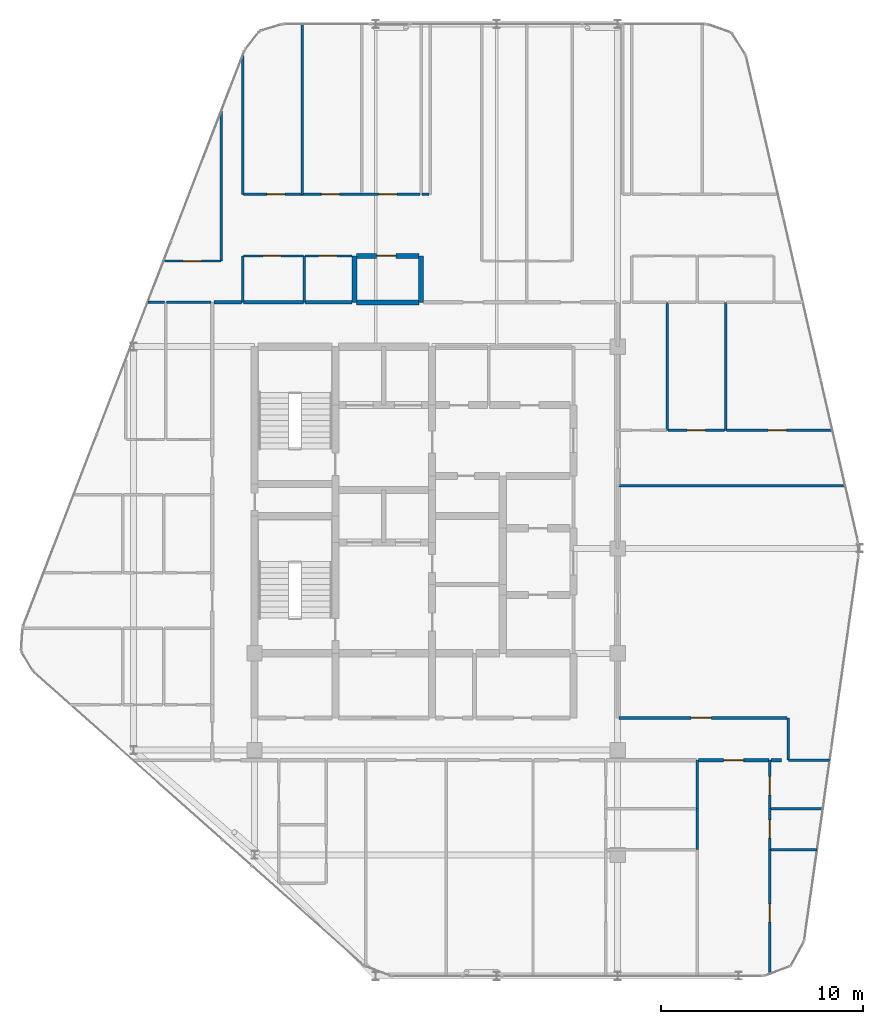
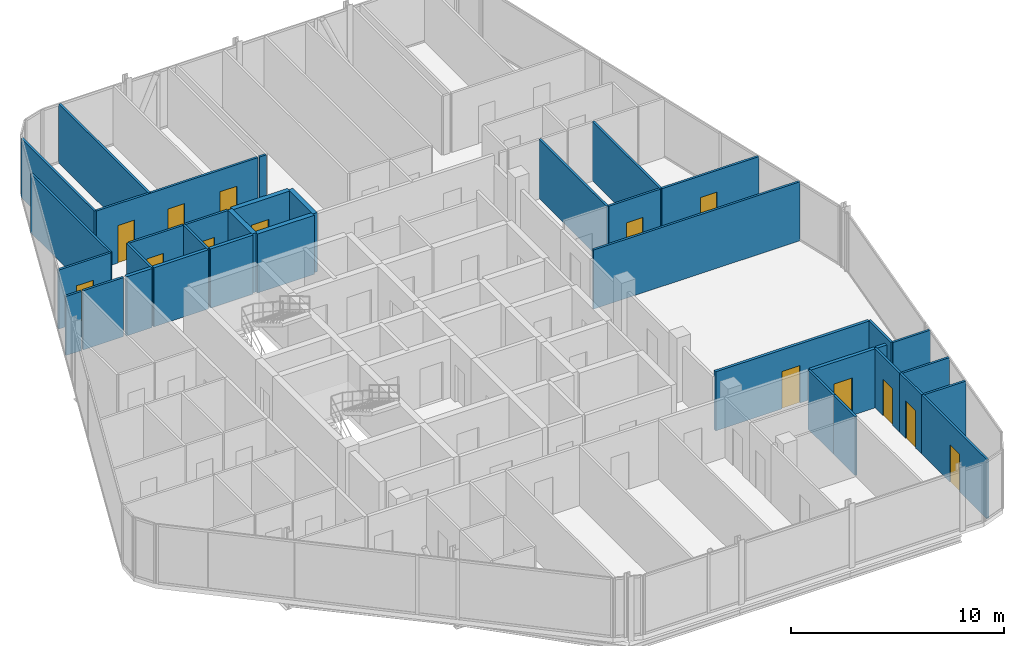
# One storey, part 25 of 27: 36 walls, 14 doors, 14 openings.
"""IFC4 building model written with IfcOpenShell, lengths in metres."""

from ifc_helpers import new_model, si_unit, direction, frame, frame_2d, origin, place, context, subcontext, project, spatial, rectangle, extrude, material, layer, layer_set, type_object, element, fill, save


model = new_model("IFC4")

# Units and contexts
model_context = context("Model", 3, precision=1e-05, world=origin(), true_north=direction((0.0, 1.0)))
body_context = subcontext(model_context, "Body", "Model", "MODEL_VIEW")
ifc_project = project(units=[si_unit("LENGTHUNIT", "METRE"), si_unit("AREAUNIT", "SQUARE_METRE"), si_unit("VOLUMEUNIT", "CUBIC_METRE"), si_unit("PLANEANGLEUNIT", "RADIAN"), si_unit("MASSUNIT", "GRAM", prefix="KILO")], contexts=[model_context])

# Site, building, storey
site_placement = place(None, origin())
site = spatial("IfcSite", under=ifc_project, at=site_placement, CompositionType="ELEMENT")
building_placement = place(site_placement, origin())
building = spatial("IfcBuilding", under=site, at=building_placement, Name="Keshet Zoharim Tower", CompositionType="ELEMENT")
storey_placement = place(building_placement, frame((0.0, 0.0, 269.5)))
storey = spatial("IfcBuildingStorey", under=building, at=storey_placement, Name="L67", CompositionType="ELEMENT", Elevation=269.5)

# Wall, opening, door
ifc_material_1 = material(Name="Gypsum Plasterboard", Category="gypsum")
ifc_layer_1 = layer(ifc_material_1, 0.14990234375)
ifc_layer_set_1 = layer_set([ifc_layer_1], Name="Gypsum Plasterboard")
wall_type_1 = type_object("IfcWallType", Name="WL-CLIN-150", PredefinedType="STANDARD", material=ifc_layer_set_1)
wall_1_placement = place(storey_placement, frame((33.06005859375, 19.5, 0.0), z_axis=(0.0, 0.0, 1.0), x_axis=(1.0, 0.0, 0.0)))
wall_1 = element("IfcWall", 1, at=wall_1_placement, inside=storey, type_object=wall_type_1, Name="L67 Interior Wall 105", PredefinedType="STANDARD", context=body_context, shape_type="SweptSolid", body=[
    extrude(rectangle(XDim=8.322998046875, YDim=0.14990234375, at=frame_2d((4.16162109375, 0.0))), origin(), (0.0, 0.0, 1.0), 3.389892578125),
])
opening_1_placement = place(wall_1_placement, frame((3.5830078125, 0.0, 0.0)))
opening_1 = element("IfcOpeningElement", 2, at=opening_1_placement, cuts=wall_1, Name="Opening D-F310", PredefinedType="OPENING", context=body_context, shape_type="SweptSolid", body=[
    extrude(rectangle(XDim=1.0, YDim=2.14990234375, at=frame_2d((0.5, 1.074951171875))), frame((0.0, 0.0849609375, 0.0), z_axis=(0.0, -1.0, 0.0), x_axis=(1.0, 0.0, 0.0)), (0.0, 0.0, 1.0), 0.169921875),
])
ifc_material_2 = material(Name="Hardwood Timber", Category="wood")
door_type_1 = type_object("IfcDoorType", Name="DR-FD30-100", OperationType="NOTDEFINED", PredefinedType="DOOR", material=ifc_material_2)
door_1_placement = place(opening_1_placement, origin())
door_1 = element("IfcDoor", 3, at=door_1_placement, inside=storey, type_object=door_type_1, Name="L67 South West Residents Services Suite Door 2", OperationType="SINGLE_SWING_LEFT", OverallHeight=2.14990234375, OverallWidth=1.0, PredefinedType="DOOR", context=body_context, shape_type="SweptSolid", body=[
    extrude(rectangle(XDim=1.0, YDim=2.14990234375, at=frame_2d((0.5, 1.074951171875))), frame((0.0, 0.02490234375, 0.0), z_axis=(0.0, -1.0, 0.0), x_axis=(1.0, 0.0, 0.0)), (0.0, 0.0, 1.0), 0.050048828125),
])
fill(opening_1, door_1)

ifc_layer_2 = layer(ifc_material_1, 0.179931640625)
ifc_layer_set_2 = layer_set([ifc_layer_2], Name="Gypsum Plasterboard")
wall_type_2 = type_object("IfcWallType", Name="WL-CORR-180", PredefinedType="STANDARD", material=ifc_layer_set_2)
wall_2_placement = place(storey_placement, frame((36.9951171875, 17.39990234375, 0.0), z_axis=(0.0, 0.0, 1.0), x_axis=(1.0, 0.0, 0.0)))
wall_2 = element("IfcWall", 4, at=wall_2_placement, inside=storey, type_object=wall_type_2, Name="L67 Interior Wall 098", PredefinedType="STANDARD", context=body_context, shape_type="SweptSolid", body=[
    extrude(rectangle(XDim=3.509765625, YDim=0.179931640625, at=frame_2d((1.7548828125, 0.0))), origin(), (0.0, 0.0, 1.0), 3.389892578125),
])
opening_2_placement = place(wall_2_placement, frame((1.2548828125, 0.0, 0.0)))
opening_2 = element("IfcOpeningElement", 5, at=opening_2_placement, cuts=wall_2, Name="Opening D-F310", PredefinedType="OPENING", context=body_context, shape_type="SweptSolid", body=[
    extrude(rectangle(XDim=1.0, YDim=2.14990234375, at=frame_2d((0.5, 1.074951171875))), frame((0.0, 0.10009765625, 0.0), z_axis=(0.0, -1.0, 0.0), x_axis=(1.0, 0.0, 0.0)), (0.0, 0.0, 1.0), 0.199951171875),
])
door_2_placement = place(opening_2_placement, origin())
door_2 = element("IfcDoor", 6, at=door_2_placement, inside=storey, type_object=door_type_1, Name="Apartment 6703 Entrance Door", OperationType="SINGLE_SWING_RIGHT", OverallHeight=2.14990234375, OverallWidth=1.0, PredefinedType="DOOR", context=body_context, shape_type="SweptSolid", body=[
    extrude(rectangle(XDim=1.0, YDim=2.14990234375, at=frame_2d((0.5, 1.074951171875))), frame((0.0, 0.02490234375, 0.0), z_axis=(0.0, -1.0, 0.0), x_axis=(1.0, 0.0, 0.0)), (0.0, 0.0, 1.0), 0.050048828125),
])
fill(opening_2, door_2)

# Walls
wall_3_placement = place(storey_placement, frame((40.594970703125, 17.39990234375, 0.0), z_axis=(0.0, 0.0, 1.0), x_axis=(1.0, 0.0, 0.0)))
element("IfcWall", 7, at=wall_3_placement, inside=storey, type_object=wall_type_2, Name="L67 Interior Wall 099", PredefinedType="STANDARD", context=body_context, shape_type="SweptSolid", body=[
    extrude(rectangle(XDim=0.534912109375, YDim=0.179931640625, at=frame_2d((0.267578125, 0.0))), origin(), (0.0, 0.0, 1.0), 3.389892578125),
])
wall_4_placement = place(storey_placement, frame((12.97509765625, 40.10009765625, 0.0), z_axis=(0.0, 0.0, 1.0), x_axis=(1.0, 0.0, 0.0)))
element("IfcWall", 8, at=wall_4_placement, inside=storey, type_object=wall_type_2, Name="L67 Interior Wall 148", PredefinedType="STANDARD", context=body_context, shape_type="SweptSolid", body=[
    extrude(rectangle(XDim=1.3798828125, YDim=0.179931640625, at=frame_2d((0.68994140625, 0.0))), origin(), (0.0, 0.0, 1.0), 3.389892578125),
])
wall_5_placement = place(storey_placement, frame((14.445068359375, 40.10009765625, 0.0), z_axis=(0.0, 0.0, 1.0), x_axis=(1.0, 0.0, 0.0)))
element("IfcWall", 9, at=wall_5_placement, inside=storey, type_object=wall_type_2, Name="L67 Interior Wall 149", PredefinedType="STANDARD", context=body_context, shape_type="SweptSolid", body=[
    extrude(rectangle(XDim=2.971923828125, YDim=0.179931640625, at=frame_2d((1.48583984375, 0.0))), origin(), (0.0, 0.0, 1.0), 3.389892578125),
])
wall_6_placement = place(storey_placement, frame((17.507080078125, 40.10009765625, 0.0), z_axis=(0.0, 0.0, 1.0), x_axis=(1.0, 0.0, 0.0)))
element("IfcWall", 10, at=wall_6_placement, inside=storey, type_object=wall_type_2, Name="L67 Interior Wall 150", PredefinedType="STANDARD", context=body_context, shape_type="SweptSolid", body=[
    extrude(rectangle(XDim=2.322998046875, YDim=0.179931640625, at=frame_2d((1.16162109375, 0.0))), origin(), (0.0, 0.0, 1.0), 3.389892578125),
])
ifc_material_3 = material(Name="Concrete C50/60", Category="concrete")
ifc_layer_3 = layer(ifc_material_3, 0.25)
ifc_layer_set_3 = layer_set([ifc_layer_3], Name="Concrete C50/60")
wall_type_3 = type_object("IfcWallType", Name="WL-MAMAD-250", PredefinedType="STANDARD", material=ifc_layer_set_3)
for number, where, z_axis, x_axis, name in (
    (11, (19.949951171875, 40.10009765625, 0.0), (0.0, 0.0, 1.0), (0.0, 1.0, 0.0), "L67 Interior Wall 031"),
    (12, (23.25, 40.10009765625, 0.0), (0.0, 0.0, 1.0), (0.0, 1.0, 0.0), "L67 Interior Wall 036"),
):
    element("IfcWall", number, at=place(storey_placement, frame(where, z_axis=z_axis, x_axis=x_axis)), inside=storey, type_object=wall_type_3, Name=name, PredefinedType="STANDARD", context=body_context, shape_type="SweptSolid", body=[
        extrude(rectangle(XDim=2.2998046875, YDim=0.25, at=frame_2d((1.14990234375, 0.0))), origin(), (0.0, 0.0, 1.0), 3.389892578125),
    ])
wall_7_placement = place(storey_placement, frame((20.050048828125, 40.10009765625, 0.0), z_axis=(0.0, 0.0, 1.0), x_axis=(1.0, 0.0, 0.0)))
element("IfcWall", 13, at=wall_7_placement, inside=storey, type_object=wall_type_3, Name="L67 Interior Wall 151", PredefinedType="STANDARD", context=body_context, shape_type="SweptSolid", body=[
    extrude(rectangle(XDim=3.08984375, YDim=0.25, at=frame_2d((1.544921875, 0.0))), origin(), (0.0, 0.0, 1.0), 3.389892578125),
])

# Wall, opening, door
wall_8_placement = place(storey_placement, frame((20.050048828125, 42.39990234375, 0.0), z_axis=(0.0, 0.0, 1.0), x_axis=(1.0, 0.0, 0.0)))
wall_8 = element("IfcWall", 14, at=wall_8_placement, inside=storey, type_object=wall_type_3, Name="L67 Interior Wall 163", PredefinedType="STANDARD", context=body_context, shape_type="SweptSolid", body=[
    extrude(rectangle(XDim=3.08984375, YDim=0.25, at=frame_2d((1.544921875, 0.0))), origin(), (0.0, 0.0, 1.0), 3.389892578125),
])
opening_3_placement = place(wall_8_placement, frame((0.9990234375, 0.0, 0.0)))
opening_3 = element("IfcOpeningElement", 15, at=opening_3_placement, cuts=wall_8, Name="Opening D-F695", PredefinedType="OPENING", context=body_context, shape_type="SweptSolid", body=[
    extrude(rectangle(XDim=0.949951171875, YDim=2.14990234375, at=frame_2d((0.47509765625, 1.074951171875))), frame((0.0, 0.135009765625, 0.0), z_axis=(0.0, -1.0, 0.0), x_axis=(1.0, 0.0, 0.0)), (0.0, 0.0, 1.0), 0.27001953125),
])
door_type_2 = type_object("IfcDoorType", Name="DR-FD60-095", OperationType="NOTDEFINED", PredefinedType="DOOR", material=ifc_material_2)
door_3_placement = place(opening_3_placement, origin())
door_3 = element("IfcDoor", 16, at=door_3_placement, inside=storey, type_object=door_type_2, Name="Apartment 6704 Study and Shelter Room Door", OperationType="SINGLE_SWING_RIGHT", OverallHeight=2.14990234375, OverallWidth=0.949951171875, PredefinedType="DOOR", context=body_context, shape_type="SweptSolid", body=[
    extrude(rectangle(XDim=0.949951171875, YDim=2.14990234375, at=frame_2d((0.47509765625, 1.074951171875))), frame((0.0, 0.02490234375, 0.0), z_axis=(0.0, -1.0, 0.0), x_axis=(1.0, 0.0, 0.0)), (0.0, 0.0, 1.0), 0.050048828125),
])
fill(opening_3, door_3)

# Walls
ifc_layer_4 = layer(ifc_material_1, 0.1201171875)
ifc_layer_set_4 = layer_set([ifc_layer_4], Name="Gypsum Plasterboard")
wall_type_4 = type_object("IfcWallType", Name="WL-PART-120", PredefinedType="PARTITIONING", material=ifc_layer_set_4)
wall_9_placement = place(storey_placement, frame((13.35009765625, 42.14990234375, 0.0), z_axis=(0.0, 0.0, 1.0), x_axis=(0.0, 1.0, 0.0)))
element("IfcWall", 17, at=wall_9_placement, inside=storey, type_object=wall_type_4, Name="L67 Interior Wall 013", PredefinedType="PARTITIONING", context=body_context, shape_type="SweptSolid", body=[
    extrude(rectangle(XDim=7.4501953125, YDim=0.1201171875, at=frame_2d((3.72509765625, 0.0))), origin(), (0.0, 0.0, 1.0), 3.389892578125),
])
wall_10_placement = place(storey_placement, frame((14.39990234375, 40.10009765625, 0.0), z_axis=(0.0, 0.0, 1.0), x_axis=(0.0, 1.0, 0.0)))
element("IfcWall", 18, at=wall_10_placement, inside=storey, type_object=wall_type_4, Name="L67 Interior Wall 014", PredefinedType="PARTITIONING", context=body_context, shape_type="SweptSolid", body=[
    extrude(rectangle(XDim=2.2998046875, YDim=0.1201171875, at=frame_2d((1.14990234375, 0.0))), origin(), (0.0, 0.0, 1.0), 3.389892578125),
])
wall_11_placement = place(storey_placement, frame((14.39990234375, 45.449951171875, 0.0), z_axis=(0.0, 0.0, 1.0), x_axis=(0.0, 1.0, 0.0)))
element("IfcWall", 19, at=wall_11_placement, inside=storey, type_object=wall_type_4, Name="L67 Interior Wall 015", PredefinedType="PARTITIONING", context=body_context, shape_type="SweptSolid", body=[
    extrude(rectangle(XDim=6.880126953125, YDim=0.1201171875, at=frame_2d((3.43994140625, 0.0))), origin(), (0.0, 0.0, 1.0), 3.389892578125),
])
wall_12_placement = place(storey_placement, frame((17.35009765625, 45.449951171875, 0.0), z_axis=(0.0, 0.0, 1.0), x_axis=(0.0, 1.0, 0.0)))
element("IfcWall", 20, at=wall_12_placement, inside=storey, type_object=wall_type_4, Name="L67 Interior Wall 022", PredefinedType="PARTITIONING", context=body_context, shape_type="SweptSolid", body=[
    extrude(rectangle(XDim=8.43994140625, YDim=0.1201171875, at=frame_2d((4.219970703125, 0.0))), origin(), (0.0, 0.0, 1.0), 3.389892578125),
])
wall_13_placement = place(storey_placement, frame((36.949951171875, 12.969970703125, 0.0), z_axis=(0.0, 0.0, 1.0), x_axis=(0.0, 1.0, 0.0)))
element("IfcWall", 21, at=wall_13_placement, inside=storey, type_object=wall_type_4, Name="L67 Interior Wall 074", PredefinedType="PARTITIONING", context=body_context, shape_type="SweptSolid", body=[
    extrude(rectangle(XDim=2.0380859375, YDim=0.1201171875, at=frame_2d((1.01904296875, 0.0))), origin(), (0.0, 0.0, 1.0), 3.389892578125),
])

# Wall, opening, door
wall_14_placement = place(storey_placement, frame((40.550048828125, 6.81689453125, 0.0), z_axis=(0.0, 0.0, 1.0), x_axis=(0.0, 1.0, 0.0)))
wall_14 = element("IfcWall", 22, at=wall_14_placement, inside=storey, type_object=wall_type_4, Name="L67 Interior Wall 079", PredefinedType="PARTITIONING", context=body_context, shape_type="SweptSolid", body=[
    extrude(rectangle(XDim=6.153076171875, YDim=0.1201171875, at=frame_2d((3.07666015625, 0.0))), origin(), (0.0, 0.0, 1.0), 3.389892578125),
])
opening_4_placement = place(wall_14_placement, frame((2.56005859375, 0.0, 0.0)))
opening_4 = element("IfcOpeningElement", 23, at=opening_4_placement, cuts=wall_14, Name="Opening D-IN90", PredefinedType="OPENING", context=body_context, shape_type="SweptSolid", body=[
    extrude(rectangle(XDim=0.89990234375, YDim=2.14990234375, at=frame_2d((0.449951171875, 1.074951171875))), frame((0.0, 0.070068359375, 0.0), z_axis=(0.0, -1.0, 0.0), x_axis=(1.0, 0.0, 0.0)), (0.0, 0.0, 1.0), 0.14013671875),
])
door_type_3 = type_object("IfcDoorType", Name="DR-INT-090", OperationType="NOTDEFINED", PredefinedType="DOOR", material=ifc_material_2)
door_4_placement = place(opening_4_placement, origin())
door_4 = element("IfcDoor", 24, at=door_4_placement, inside=storey, type_object=door_type_3, Name="Apartment 6703 Bedroom 1 Door", OperationType="SINGLE_SWING_LEFT", OverallHeight=2.14990234375, OverallWidth=0.89990234375, PredefinedType="DOOR", context=body_context, shape_type="SweptSolid", body=[
    extrude(rectangle(XDim=0.89990234375, YDim=2.14990234375, at=frame_2d((0.449951171875, 1.074951171875))), frame((0.0, 0.02490234375, 0.0), z_axis=(0.0, -1.0, 0.0), x_axis=(1.0, 0.0, 0.0)), (0.0, 0.0, 1.0), 0.050048828125),
])
fill(opening_4, door_4)

wall_15_placement = place(storey_placement, frame((40.550048828125, 12.969970703125, 0.0), z_axis=(0.0, 0.0, 1.0), x_axis=(0.0, 1.0, 0.0)))
wall_15 = element("IfcWall", 25, at=wall_15_placement, inside=storey, type_object=wall_type_4, Name="L67 Interior Wall 080", PredefinedType="PARTITIONING", context=body_context, shape_type="SweptSolid", body=[
    extrude(rectangle(XDim=2.0380859375, YDim=0.1201171875, at=frame_2d((1.01904296875, 0.0))), origin(), (0.0, 0.0, 1.0), 3.389892578125),
])
opening_5_placement = place(wall_15_placement, frame((0.569091796875, 0.0, 0.0)))
opening_5 = element("IfcOpeningElement", 26, at=opening_5_placement, cuts=wall_15, Name="Opening D-IN90", PredefinedType="OPENING", context=body_context, shape_type="SweptSolid", body=[
    extrude(rectangle(XDim=0.89990234375, YDim=2.14990234375, at=frame_2d((0.449951171875, 1.074951171875))), frame((0.0, 0.070068359375, 0.0), z_axis=(0.0, -1.0, 0.0), x_axis=(1.0, 0.0, 0.0)), (0.0, 0.0, 1.0), 0.14013671875),
])
door_5_placement = place(opening_5_placement, origin())
door_5 = element("IfcDoor", 27, at=door_5_placement, inside=storey, type_object=door_type_3, Name="Apartment 6703 Kitchen Door", OperationType="SINGLE_SWING_RIGHT", OverallHeight=2.14990234375, OverallWidth=0.89990234375, PredefinedType="DOOR", context=body_context, shape_type="SweptSolid", body=[
    extrude(rectangle(XDim=0.89990234375, YDim=2.14990234375, at=frame_2d((0.449951171875, 1.074951171875))), frame((0.0, 0.02490234375, 0.0), z_axis=(0.0, -1.0, 0.0), x_axis=(1.0, 0.0, 0.0)), (0.0, 0.0, 1.0), 0.050048828125),
])
fill(opening_5, door_5)

# Walls
wall_16_placement = place(storey_placement, frame((41.449951171875, 17.39990234375, 0.0), z_axis=(0.0, 0.0, 1.0), x_axis=(0.0, 1.0, 0.0)))
element("IfcWall", 28, at=wall_16_placement, inside=storey, type_object=wall_type_4, Name="L67 Interior Wall 083", PredefinedType="PARTITIONING", context=body_context, shape_type="SweptSolid", body=[
    extrude(rectangle(XDim=2.09912109375, YDim=0.1201171875, at=frame_2d((1.049560546875, 0.0))), origin(), (0.0, 0.0, 1.0), 3.389892578125),
])
wall_17_placement = place(storey_placement, frame((40.594970703125, 12.949951171875, 0.0), z_axis=(0.0, 0.0, 1.0), x_axis=(1.0, 0.0, 0.0)))
element("IfcWall", 29, at=wall_17_placement, inside=storey, type_object=wall_type_4, Name="L67 Interior Wall 086", PredefinedType="PARTITIONING", context=body_context, shape_type="SweptSolid", body=[
    extrude(rectangle(XDim=2.279052734375, YDim=0.1201171875, at=frame_2d((1.1396484375, 0.0))), origin(), (0.0, 0.0, 1.0), 3.389892578125),
])
wall_18_placement = place(storey_placement, frame((33.074951171875, 31.0, 0.0), z_axis=(0.0, 0.0, 1.0), x_axis=(1.0, 0.0, 0.0)))
element("IfcWall", 30, at=wall_18_placement, inside=storey, type_object=wall_type_4, Name="L67 Interior Wall 130", PredefinedType="PARTITIONING", context=body_context, shape_type="SweptSolid", body=[
    extrude(rectangle(XDim=11.198974609375, YDim=0.1201171875, at=frame_2d((5.599609375, 0.0))), origin(), (0.0, 0.0, 1.0), 3.389892578125),
])

# Wall, opening, door
wall_19_placement = place(storey_placement, frame((38.383056640625, 33.75, 0.0), z_axis=(0.0, 0.0, 1.0), x_axis=(1.0, 0.0, 0.0)))
wall_19 = element("IfcWall", 31, at=wall_19_placement, inside=storey, type_object=wall_type_4, Name="L67 Interior Wall 138", PredefinedType="PARTITIONING", context=body_context, shape_type="SweptSolid", body=[
    extrude(rectangle(XDim=5.2568359375, YDim=0.1201171875, at=frame_2d((2.62841796875, 0.0))), origin(), (0.0, 0.0, 1.0), 3.389892578125),
])
opening_6_placement = place(wall_19_placement, frame((2.0810546875, 0.0, 0.0)))
opening_6 = element("IfcOpeningElement", 32, at=opening_6_placement, cuts=wall_19, Name="Opening D-IN90", PredefinedType="OPENING", context=body_context, shape_type="SweptSolid", body=[
    extrude(rectangle(XDim=0.89990234375, YDim=2.14990234375, at=frame_2d((0.449951171875, 1.074951171875))), frame((0.0, 0.070068359375, 0.0), z_axis=(0.0, -1.0, 0.0), x_axis=(1.0, 0.0, 0.0)), (0.0, 0.0, 1.0), 0.14013671875),
])
door_6_placement = place(opening_6_placement, origin())
door_6 = element("IfcDoor", 33, at=door_6_placement, inside=storey, type_object=door_type_3, Name="Apartment 6709 Bedroom 1 Door", OperationType="SINGLE_SWING_RIGHT", OverallHeight=2.14990234375, OverallWidth=0.89990234375, PredefinedType="DOOR", context=body_context, shape_type="SweptSolid", body=[
    extrude(rectangle(XDim=0.89990234375, YDim=2.14990234375, at=frame_2d((0.449951171875, 1.074951171875))), frame((0.0, 0.02490234375, 0.0), z_axis=(0.0, -1.0, 0.0), x_axis=(1.0, 0.0, 0.0)), (0.0, 0.0, 1.0), 0.050048828125),
])
fill(opening_6, door_6)

# Wall
wall_20_placement = place(storey_placement, frame((9.701904296875, 40.10009765625, 0.0), z_axis=(0.0, 0.0, 1.0), x_axis=(1.0, 0.0, 0.0)))
element("IfcWall", 34, at=wall_20_placement, inside=storey, type_object=wall_type_4, Name="L67 Interior Wall 146", PredefinedType="PARTITIONING", context=body_context, shape_type="SweptSolid", body=[
    extrude(rectangle(XDim=0.8310546875, YDim=0.1201171875, at=frame_2d((0.41552734375, 0.0))), origin(), (0.0, 0.0, 1.0), 3.389892578125),
])

# Wall, opening, door
wall_21_placement = place(storey_placement, frame((10.490966796875, 42.14990234375, 0.0), z_axis=(0.0, 0.0, 1.0), x_axis=(1.0, 0.0, 0.0)))
wall_21 = element("IfcWall", 35, at=wall_21_placement, inside=storey, type_object=wall_type_4, Name="L67 Interior Wall 159", PredefinedType="PARTITIONING", context=body_context, shape_type="SweptSolid", body=[
    extrude(rectangle(XDim=2.828125, YDim=0.1201171875, at=frame_2d((1.4140625, 0.0))), origin(), (0.0, 0.0, 1.0), 3.389892578125),
])
opening_7_placement = place(wall_21_placement, frame((0.962890625, 0.0, 0.0)))
opening_7 = element("IfcOpeningElement", 36, at=opening_7_placement, cuts=wall_21, Name="Opening D-IN90", PredefinedType="OPENING", context=body_context, shape_type="SweptSolid", body=[
    extrude(rectangle(XDim=0.89990234375, YDim=2.14990234375, at=frame_2d((0.449951171875, 1.074951171875))), frame((0.0, 0.070068359375, 0.0), z_axis=(0.0, -1.0, 0.0), x_axis=(1.0, 0.0, 0.0)), (0.0, 0.0, 1.0), 0.14013671875),
])
door_7_placement = place(opening_7_placement, origin())
door_7 = element("IfcDoor", 37, at=door_7_placement, inside=storey, type_object=door_type_3, Name="Apartment 6704 Home Study Room Door", OperationType="SINGLE_SWING_LEFT", OverallHeight=2.14990234375, OverallWidth=0.89990234375, PredefinedType="DOOR", context=body_context, shape_type="SweptSolid", body=[
    extrude(rectangle(XDim=0.89990234375, YDim=2.14990234375, at=frame_2d((0.449951171875, 1.074951171875))), frame((0.0, 0.02490234375, 0.0), z_axis=(0.0, -1.0, 0.0), x_axis=(1.0, 0.0, 0.0)), (0.0, 0.0, 1.0), 0.050048828125),
])
fill(opening_7, door_7)

wall_22_placement = place(storey_placement, frame((14.445068359375, 42.39990234375, 0.0), z_axis=(0.0, 0.0, 1.0), x_axis=(1.0, 0.0, 0.0)))
wall_22 = element("IfcWall", 38, at=wall_22_placement, inside=storey, type_object=wall_type_4, Name="L67 Interior Wall 161", PredefinedType="PARTITIONING", context=body_context, shape_type="SweptSolid", body=[
    extrude(rectangle(XDim=2.971923828125, YDim=0.1201171875, at=frame_2d((1.48583984375, 0.0))), origin(), (0.0, 0.0, 1.0), 3.389892578125),
])
opening_8_placement = place(wall_22_placement, frame((0.9609375, 0.0, 0.0)))
opening_8 = element("IfcOpeningElement", 39, at=opening_8_placement, cuts=wall_22, Name="Opening D-IN90", PredefinedType="OPENING", context=body_context, shape_type="SweptSolid", body=[
    extrude(rectangle(XDim=0.89990234375, YDim=2.14990234375, at=frame_2d((0.449951171875, 1.074951171875))), frame((0.0, 0.070068359375, 0.0), z_axis=(0.0, -1.0, 0.0), x_axis=(1.0, 0.0, 0.0)), (0.0, 0.0, 1.0), 0.14013671875),
])
door_8_placement = place(opening_8_placement, origin())
door_8 = element("IfcDoor", 40, at=door_8_placement, inside=storey, type_object=door_type_3, Name="Apartment 6704 Kitchen Door", OperationType="SINGLE_SWING_RIGHT", OverallHeight=2.14990234375, OverallWidth=0.89990234375, PredefinedType="DOOR", context=body_context, shape_type="SweptSolid", body=[
    extrude(rectangle(XDim=0.89990234375, YDim=2.14990234375, at=frame_2d((0.449951171875, 1.074951171875))), frame((0.0, 0.02490234375, 0.0), z_axis=(0.0, -1.0, 0.0), x_axis=(1.0, 0.0, 0.0)), (0.0, 0.0, 1.0), 0.050048828125),
])
fill(opening_8, door_8)

# Wall, openings, doors
wall_23_placement = place(storey_placement, frame((14.445068359375, 45.449951171875, 0.0), z_axis=(0.0, 0.0, 1.0), x_axis=(1.0, 0.0, 0.0)))
wall_23 = element("IfcWall", 41, at=wall_23_placement, inside=storey, type_object=wall_type_4, Name="L67 Interior Wall 166", PredefinedType="PARTITIONING", context=body_context, shape_type="SweptSolid", body=[
    extrude(rectangle(XDim=8.760009765625, YDim=0.1201171875, at=frame_2d((4.3798828125, 0.0))), origin(), (0.0, 0.0, 1.0), 3.389892578125),
])
opening_9_placement = place(wall_23_placement, frame((1.155029296875, 0.0, 0.0)))
opening_9 = element("IfcOpeningElement", 42, at=opening_9_placement, cuts=wall_23, Name="Opening D-IN90", PredefinedType="OPENING", context=body_context, shape_type="SweptSolid", body=[
    extrude(rectangle(XDim=0.89990234375, YDim=2.14990234375, at=frame_2d((0.449951171875, 1.074951171875))), frame((0.0, 0.070068359375, 0.0), z_axis=(0.0, -1.0, 0.0), x_axis=(1.0, 0.0, 0.0)), (0.0, 0.0, 1.0), 0.14013671875),
])
opening_10_placement = place(wall_23_placement, frame((3.85888671875, 0.0, 0.0)))
opening_10 = element("IfcOpeningElement", 43, at=opening_10_placement, cuts=wall_23, Name="Opening D-IN90", PredefinedType="OPENING", context=body_context, shape_type="SweptSolid", body=[
    extrude(rectangle(XDim=0.89990234375, YDim=2.14990234375, at=frame_2d((0.449951171875, 1.074951171875))), frame((0.0, 0.070068359375, 0.0), z_axis=(0.0, -1.0, 0.0), x_axis=(1.0, 0.0, 0.0)), (0.0, 0.0, 1.0), 0.14013671875),
])
opening_11_placement = place(wall_23_placement, frame((6.705078125, 0.0, 0.0)))
opening_11 = element("IfcOpeningElement", 44, at=opening_11_placement, cuts=wall_23, Name="Opening D-IN90", PredefinedType="OPENING", context=body_context, shape_type="SweptSolid", body=[
    extrude(rectangle(XDim=0.89990234375, YDim=2.14990234375, at=frame_2d((0.449951171875, 1.074951171875))), frame((0.0, 0.070068359375, 0.0), z_axis=(0.0, -1.0, 0.0), x_axis=(1.0, 0.0, 0.0)), (0.0, 0.0, 1.0), 0.14013671875),
])
door_9_placement = place(opening_9_placement, origin())
door_9 = element("IfcDoor", 45, at=door_9_placement, inside=storey, type_object=door_type_3, Name="Apartment 6704 Bedroom 1 Door", OperationType="SINGLE_SWING_LEFT", OverallHeight=2.14990234375, OverallWidth=0.89990234375, PredefinedType="DOOR", context=body_context, shape_type="SweptSolid", body=[
    extrude(rectangle(XDim=0.89990234375, YDim=2.14990234375, at=frame_2d((0.449951171875, 1.074951171875))), frame((0.0, 0.02490234375, 0.0), z_axis=(0.0, -1.0, 0.0), x_axis=(1.0, 0.0, 0.0)), (0.0, 0.0, 1.0), 0.050048828125),
])
fill(opening_9, door_9)
door_10_placement = place(opening_10_placement, origin())
door_10 = element("IfcDoor", 46, at=door_10_placement, inside=storey, type_object=door_type_3, Name="Apartment 6704 Bedroom 2 Door", OperationType="SINGLE_SWING_RIGHT", OverallHeight=2.14990234375, OverallWidth=0.89990234375, PredefinedType="DOOR", context=body_context, shape_type="SweptSolid", body=[
    extrude(rectangle(XDim=0.89990234375, YDim=2.14990234375, at=frame_2d((0.449951171875, 1.074951171875))), frame((0.0, 0.02490234375, 0.0), z_axis=(0.0, -1.0, 0.0), x_axis=(1.0, 0.0, 0.0)), (0.0, 0.0, 1.0), 0.050048828125),
])
fill(opening_10, door_10)
door_11_placement = place(opening_11_placement, origin())
door_11 = element("IfcDoor", 47, at=door_11_placement, inside=storey, type_object=door_type_3, Name="Apartment 6704 Bedroom 3 Door", OperationType="SINGLE_SWING_LEFT", OverallHeight=2.14990234375, OverallWidth=0.89990234375, PredefinedType="DOOR", context=body_context, shape_type="SweptSolid", body=[
    extrude(rectangle(XDim=0.89990234375, YDim=2.14990234375, at=frame_2d((0.449951171875, 1.074951171875))), frame((0.0, 0.02490234375, 0.0), z_axis=(0.0, -1.0, 0.0), x_axis=(1.0, 0.0, 0.0)), (0.0, 0.0, 1.0), 0.050048828125),
])
fill(opening_11, door_11)

# Walls
wall_24_placement = place(storey_placement, frame((23.294921875, 45.449951171875, 0.0), z_axis=(0.0, 0.0, 1.0), x_axis=(1.0, 0.0, 0.0)))
element("IfcWall", 48, at=wall_24_placement, inside=storey, type_object=wall_type_4, Name="L67 Interior Wall 167", PredefinedType="PARTITIONING", context=body_context, shape_type="SweptSolid", body=[
    extrude(rectangle(XDim=0.360107421875, YDim=0.1201171875, at=frame_2d((0.18017578125, 0.0))), origin(), (0.0, 0.0, 1.0), 3.389892578125),
])
ifc_layer_5 = layer(ifc_material_1, 0.1201171875)
ifc_layer_set_5 = layer_set([ifc_layer_5], Name="Gypsum Plasterboard")
wall_type_5 = type_object("IfcWallType", Name="WL-WET-120", PredefinedType="PARTITIONING", material=ifc_layer_set_5)
wall_25_placement = place(storey_placement, frame((17.449951171875, 40.10009765625, 0.0), z_axis=(0.0, 0.0, 1.0), x_axis=(0.0, 1.0, 0.0)))
element("IfcWall", 49, at=wall_25_placement, inside=storey, type_object=wall_type_5, Name="L67 Interior Wall 023", PredefinedType="PARTITIONING", context=body_context, shape_type="SweptSolid", body=[
    extrude(rectangle(XDim=2.2998046875, YDim=0.1201171875, at=frame_2d((1.14990234375, 0.0))), origin(), (0.0, 0.0, 1.0), 3.389892578125),
])
wall_26_placement = place(storey_placement, frame((35.449951171875, 33.75, 0.0), z_axis=(0.0, 0.0, 1.0), x_axis=(0.0, 1.0, 0.0)))
element("IfcWall", 50, at=wall_26_placement, inside=storey, type_object=wall_type_5, Name="L67 Interior Wall 072", PredefinedType="PARTITIONING", context=body_context, shape_type="SweptSolid", body=[
    extrude(rectangle(XDim=6.35009765625, YDim=0.1201171875, at=frame_2d((3.175048828125, 0.0))), origin(), (0.0, 0.0, 1.0), 3.389892578125),
])
wall_27_placement = place(storey_placement, frame((36.949951171875, 15.008056640625, 0.0), z_axis=(0.0, 0.0, 1.0), x_axis=(0.0, 1.0, 0.0)))
element("IfcWall", 51, at=wall_27_placement, inside=storey, type_object=wall_type_5, Name="L67 Interior Wall 075", PredefinedType="PARTITIONING", context=body_context, shape_type="SweptSolid", body=[
    extrude(rectangle(XDim=2.391845703125, YDim=0.1201171875, at=frame_2d((1.19580078125, 0.0))), origin(), (0.0, 0.0, 1.0), 3.389892578125),
])
wall_28_placement = place(storey_placement, frame((38.35009765625, 33.75, 0.0), z_axis=(0.0, 0.0, 1.0), x_axis=(0.0, 1.0, 0.0)))
element("IfcWall", 52, at=wall_28_placement, inside=storey, type_object=wall_type_5, Name="L67 Interior Wall 078", PredefinedType="PARTITIONING", context=body_context, shape_type="SweptSolid", body=[
    extrude(rectangle(XDim=6.35009765625, YDim=0.1201171875, at=frame_2d((3.175048828125, 0.0))), origin(), (0.0, 0.0, 1.0), 3.389892578125),
])

# Wall, opening, door
wall_29_placement = place(storey_placement, frame((40.550048828125, 15.008056640625, 0.0), z_axis=(0.0, 0.0, 1.0), x_axis=(0.0, 1.0, 0.0)))
wall_29 = element("IfcWall", 53, at=wall_29_placement, inside=storey, type_object=wall_type_5, Name="L67 Interior Wall 081", PredefinedType="PARTITIONING", context=body_context, shape_type="SweptSolid", body=[
    extrude(rectangle(XDim=2.391845703125, YDim=0.1201171875, at=frame_2d((1.19580078125, 0.0))), origin(), (0.0, 0.0, 1.0), 3.389892578125),
])
opening_12_placement = place(wall_29_placement, frame((0.675048828125, 0.0, 0.0)))
opening_12 = element("IfcOpeningElement", 54, at=opening_12_placement, cuts=wall_29, Name="Opening D-WT90", PredefinedType="OPENING", context=body_context, shape_type="SweptSolid", body=[
    extrude(rectangle(XDim=0.89990234375, YDim=2.10009765625, at=frame_2d((0.449951171875, 1.050048828125))), frame((0.0, 0.070068359375, 0.0), z_axis=(0.0, -1.0, 0.0), x_axis=(1.0, 0.0, 0.0)), (0.0, 0.0, 1.0), 0.14013671875),
])
door_type_4 = type_object("IfcDoorType", Name="DR-WET-090", OperationType="NOTDEFINED", PredefinedType="DOOR", material=ifc_material_2)
door_12_placement = place(opening_12_placement, origin())
door_12 = element("IfcDoor", 55, at=door_12_placement, inside=storey, type_object=door_type_4, Name="Apartment 6703 Bathroom Door", OperationType="SINGLE_SWING_LEFT", OverallHeight=2.10009765625, OverallWidth=0.89990234375, PredefinedType="DOOR", context=body_context, shape_type="SweptSolid", body=[
    extrude(rectangle(XDim=0.89990234375, YDim=2.10009765625, at=frame_2d((0.449951171875, 1.050048828125))), frame((0.0, 0.02490234375, 0.0), z_axis=(0.0, -1.0, 0.0), x_axis=(1.0, 0.0, 0.0)), (0.0, 0.0, 1.0), 0.050048828125),
])
fill(opening_12, door_12)

# Walls
wall_30_placement = place(storey_placement, frame((40.594970703125, 15.0, 0.0), z_axis=(0.0, 0.0, 1.0), x_axis=(1.0, 0.0, 0.0)))
element("IfcWall", 56, at=wall_30_placement, inside=storey, type_object=wall_type_5, Name="L67 Interior Wall 089", PredefinedType="PARTITIONING", context=body_context, shape_type="SweptSolid", body=[
    extrude(rectangle(XDim=2.569091796875, YDim=0.1201171875, at=frame_2d((1.28466796875, 0.0))), origin(), (0.0, 0.0, 1.0), 3.389892578125),
])
wall_31_placement = place(storey_placement, frame((41.472900390625, 17.39990234375, 0.0), z_axis=(0.0, 0.0, 1.0), x_axis=(1.0, 0.0, 0.0)))
element("IfcWall", 57, at=wall_31_placement, inside=storey, type_object=wall_type_5, Name="L67 Interior Wall 100", PredefinedType="PARTITIONING", context=body_context, shape_type="SweptSolid", body=[
    extrude(rectangle(XDim=2.031005859375, YDim=0.1201171875, at=frame_2d((1.015625, 0.0))), origin(), (0.0, 0.0, 1.0), 3.389892578125),
])

# Wall, opening, door
wall_32_placement = place(storey_placement, frame((35.5, 33.75, 0.0), z_axis=(0.0, 0.0, 1.0), x_axis=(1.0, 0.0, 0.0)))
wall_32 = element("IfcWall", 58, at=wall_32_placement, inside=storey, type_object=wall_type_5, Name="L67 Interior Wall 137", PredefinedType="PARTITIONING", context=body_context, shape_type="SweptSolid", body=[
    extrude(rectangle(XDim=2.79296875, YDim=0.1201171875, at=frame_2d((1.396484375, 0.0))), origin(), (0.0, 0.0, 1.0), 3.389892578125),
])
opening_13_placement = place(wall_32_placement, frame((0.947021484375, 0.0, 0.0)))
opening_13 = element("IfcOpeningElement", 59, at=opening_13_placement, cuts=wall_32, Name="Opening D-WT90", PredefinedType="OPENING", context=body_context, shape_type="SweptSolid", body=[
    extrude(rectangle(XDim=0.89990234375, YDim=2.10009765625, at=frame_2d((0.449951171875, 1.050048828125))), frame((0.0, 0.070068359375, 0.0), z_axis=(0.0, -1.0, 0.0), x_axis=(1.0, 0.0, 0.0)), (0.0, 0.0, 1.0), 0.14013671875),
])
door_13_placement = place(opening_13_placement, origin())
door_13 = element("IfcDoor", 60, at=door_13_placement, inside=storey, type_object=door_type_4, Name="Apartment 6709 Bathroom Door", OperationType="SINGLE_SWING_LEFT", OverallHeight=2.10009765625, OverallWidth=0.89990234375, PredefinedType="DOOR", context=body_context, shape_type="SweptSolid", body=[
    extrude(rectangle(XDim=0.89990234375, YDim=2.10009765625, at=frame_2d((0.449951171875, 1.050048828125))), frame((0.0, 0.02490234375, 0.0), z_axis=(0.0, -1.0, 0.0), x_axis=(1.0, 0.0, 0.0)), (0.0, 0.0, 1.0), 0.050048828125),
])
fill(opening_13, door_13)

# Wall
wall_33_placement = place(storey_placement, frame((10.623046875, 40.10009765625, 0.0), z_axis=(0.0, 0.0, 1.0), x_axis=(1.0, 0.0, 0.0)))
element("IfcWall", 61, at=wall_33_placement, inside=storey, type_object=wall_type_5, Name="L67 Interior Wall 147", PredefinedType="PARTITIONING", context=body_context, shape_type="SweptSolid", body=[
    extrude(rectangle(XDim=2.201904296875, YDim=0.1201171875, at=frame_2d((1.10107421875, 0.0))), origin(), (0.0, 0.0, 1.0), 3.389892578125),
])

# Wall, opening, door
wall_34_placement = place(storey_placement, frame((17.507080078125, 42.39990234375, 0.0), z_axis=(0.0, 0.0, 1.0), x_axis=(1.0, 0.0, 0.0)))
wall_34 = element("IfcWall", 62, at=wall_34_placement, inside=storey, type_object=wall_type_5, Name="L67 Interior Wall 162", PredefinedType="PARTITIONING", context=body_context, shape_type="SweptSolid", body=[
    extrude(rectangle(XDim=2.322998046875, YDim=0.1201171875, at=frame_2d((1.16162109375, 0.0))), origin(), (0.0, 0.0, 1.0), 3.389892578125),
])
opening_14_placement = place(wall_34_placement, frame((0.6689453125, 0.0, 0.0)))
opening_14 = element("IfcOpeningElement", 63, at=opening_14_placement, cuts=wall_34, Name="Opening D-WT90", PredefinedType="OPENING", context=body_context, shape_type="SweptSolid", body=[
    extrude(rectangle(XDim=0.89990234375, YDim=2.10009765625, at=frame_2d((0.449951171875, 1.050048828125))), frame((0.0, 0.070068359375, 0.0), z_axis=(0.0, -1.0, 0.0), x_axis=(1.0, 0.0, 0.0)), (0.0, 0.0, 1.0), 0.14013671875),
])
door_14_placement = place(opening_14_placement, origin())
door_14 = element("IfcDoor", 64, at=door_14_placement, inside=storey, type_object=door_type_4, Name="Apartment 6704 Bathroom Door", OperationType="SINGLE_SWING_LEFT", OverallHeight=2.10009765625, OverallWidth=0.89990234375, PredefinedType="DOOR", context=body_context, shape_type="SweptSolid", body=[
    extrude(rectangle(XDim=0.89990234375, YDim=2.10009765625, at=frame_2d((0.449951171875, 1.050048828125))), frame((0.0, 0.02490234375, 0.0), z_axis=(0.0, -1.0, 0.0), x_axis=(1.0, 0.0, 0.0)), (0.0, 0.0, 1.0), 0.050048828125),
])
fill(opening_14, door_14)

save(model, "model.ifc")
